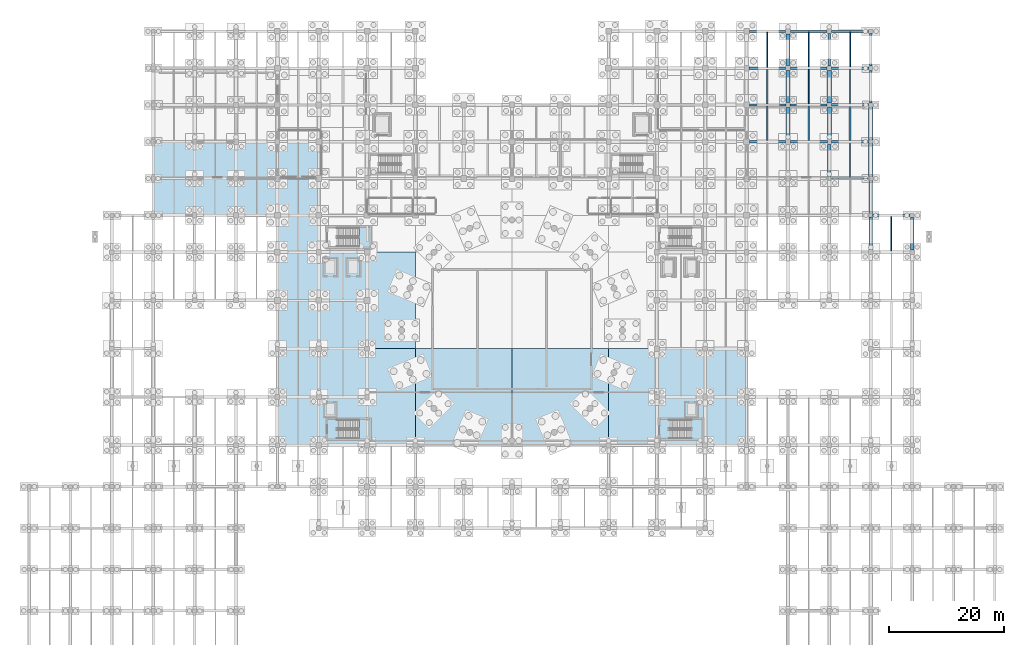
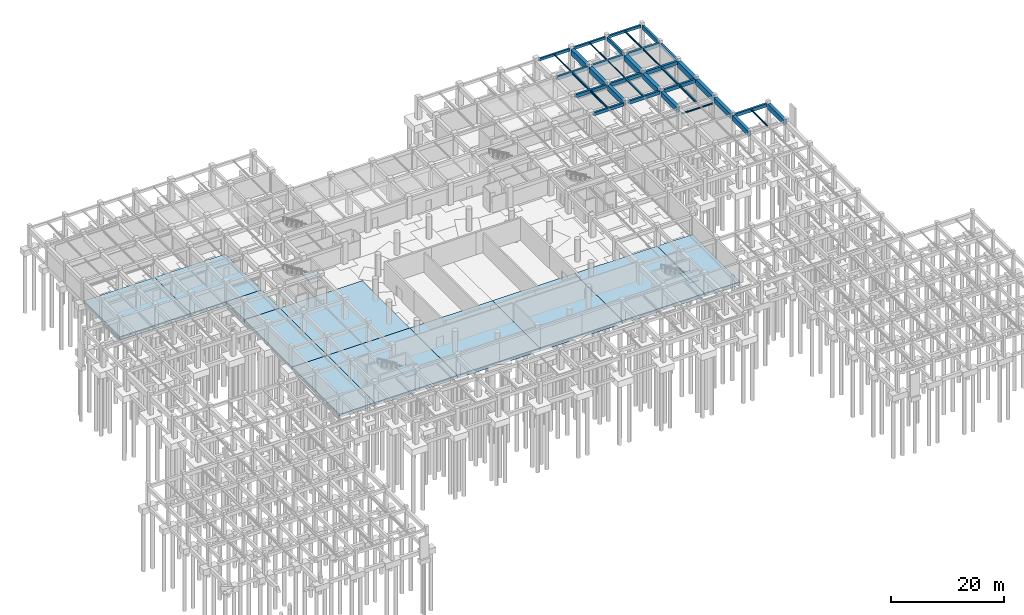
# One storey, part 29 of 44: 38 beams, 14 slabs, 1 member, 3 elements without a shape of their own.
"""IFC4 building model written with IfcOpenShell, lengths in metres."""

from ifc_helpers import new_model, si_unit, direction, frame, origin, origin_2d, place, context, subcontext, project, spatial, polyline, rectangle, i_section, outline, extrude, material, layer, layer_set, material_profile, profile_set, type_object, element, aggregate, save


model = new_model("IFC4")

# Units and contexts
model_context = context("Model", 3, precision=1e-05, world=origin(), true_north=direction((0.0, 1.0)))
body_context = subcontext(model_context, "Body", "Model", "MODEL_VIEW")
ifc_project = project(units=[si_unit("LENGTHUNIT", "METRE"), si_unit("AREAUNIT", "SQUARE_METRE"), si_unit("VOLUMEUNIT", "CUBIC_METRE"), si_unit("PLANEANGLEUNIT", "RADIAN"), si_unit("MASSUNIT", "GRAM", prefix="KILO")], contexts=[model_context])

# Site, building, storey
site_placement = place(None, origin())
site = spatial("IfcSite", under=ifc_project, at=site_placement, CompositionType="ELEMENT")
building_placement = place(site_placement, origin())
building = spatial("IfcBuilding", under=site, at=building_placement, Name="Korsvaeld Concert Hall", CompositionType="ELEMENT")
storey_placement = place(building_placement, frame((0.0, 0.0, -4.800048828125)))
storey = spatial("IfcBuildingStorey", under=building, at=storey_placement, Name="B1", CompositionType="ELEMENT", Elevation=-4.800048828125)

# Beams
ifc_material_1 = material(Name="Concrete C35/45", Category="concrete")
ifc_material_profile_1 = material_profile(ifc_material_1, rectangle(XDim=0.39990234375, YDim=0.64990234375, at=origin_2d()), Name="RC 400x650")
ifc_profile_set_1 = profile_set([ifc_material_profile_1], Name="Concrete C35/45")
beam_type_1 = type_object("IfcBeamType", Name="BM-RC-400x650", PredefinedType="T_BEAM", material=ifc_profile_set_1)
beam_1_placement = place(storey_placement, frame((125.300048828125, 96.0, 3.925048828125), z_axis=(1.0, 0.0, 0.0), x_axis=(0.0, 1.0, 0.0)))
element("IfcBeam", 1, at=beam_1_placement, inside=storey, type_object=beam_type_1, Name="Primary girder 17-18/P B1", PredefinedType="T_BEAM", context=body_context, shape_type="SweptSolid", body=[
    extrude(rectangle(XDim=0.39990234375, YDim=0.64990234375, at=origin_2d()), origin(), (0.0, 0.0, 1.0), 6.25),
])
ifc_material_profile_2 = material_profile(ifc_material_1, rectangle(XDim=0.39990234375, YDim=0.699951171875, at=origin_2d()), Name="RC 400x700")
ifc_profile_set_2 = profile_set([ifc_material_profile_2], Name="Concrete C35/45")
beam_type_2 = type_object("IfcBeamType", Name="BM-RC-400x700", PredefinedType="T_BEAM", material=ifc_profile_set_2)
beam_2_placement = place(storey_placement, frame((146.72509765625, 83.199951171875, 3.900146484375), z_axis=(1.0, 0.0, 0.0), x_axis=(0.0, 1.0, 0.0)))
element("IfcBeam", 2, at=beam_2_placement, inside=storey, type_object=beam_type_2, Name="Primary girder 20-21/M B1", PredefinedType="T_BEAM", context=body_context, shape_type="SweptSolid", body=[
    extrude(rectangle(XDim=0.39990234375, YDim=0.699951171875, at=origin_2d()), origin(), (0.0, 0.0, 1.0), 6.52490234375),
])
beam_3_placement = place(storey_placement, frame((132.449951171875, 96.0, 3.900146484375), z_axis=(1.0, 0.0, 0.0), x_axis=(0.0, 1.0, 0.0)))
element("IfcBeam", 3, at=beam_3_placement, inside=storey, type_object=beam_type_2, Name="Primary girder 18-19/P B1", PredefinedType="T_BEAM", context=body_context, shape_type="SweptSolid", body=[
    extrude(rectangle(XDim=0.39990234375, YDim=0.699951171875, at=origin_2d()), origin(), (0.0, 0.0, 1.0), 6.400146484375),
])
beam_4_placement = place(storey_placement, frame((125.27490234375, 102.39990234375, 3.900146484375), z_axis=(1.0, 0.0, 0.0), x_axis=(0.0, 1.0, 0.0)))
element("IfcBeam", 4, at=beam_4_placement, inside=storey, type_object=beam_type_2, Name="Primary girder 17-18/Q B1", PredefinedType="T_BEAM", context=body_context, shape_type="SweptSolid", body=[
    extrude(rectangle(XDim=0.39990234375, YDim=0.699951171875, at=origin_2d()), origin(), (0.0, 0.0, 1.0), 6.375),
])
beam_5_placement = place(storey_placement, frame((139.199951171875, 109.199951171875, 3.900146484375), z_axis=(0.0, 1.0, 0.0), x_axis=(-1.0, 0.0, 0.0)))
element("IfcBeam", 5, at=beam_5_placement, inside=storey, type_object=beam_type_2, Name="Primary girder 19/R-S B1", PredefinedType="T_BEAM", context=body_context, shape_type="SweptSolid", body=[
    extrude(rectangle(XDim=0.39990234375, YDim=0.699951171875, at=origin_2d()), origin(), (0.0, 0.0, 1.0), 5.625),
])
beam_6_placement = place(storey_placement, frame((146.39990234375, 102.75, 3.900146484375), z_axis=(0.0, 1.0, 0.0), x_axis=(-1.0, 0.0, 0.0)))
element("IfcBeam", 6, at=beam_6_placement, inside=storey, type_object=beam_type_2, Name="Primary girder 20/Q-R B1", PredefinedType="T_BEAM", context=body_context, shape_type="SweptSolid", body=[
    extrude(rectangle(XDim=0.39990234375, YDim=0.699951171875, at=origin_2d()), origin(), (0.0, 0.0, 1.0), 5.64990234375),
])
ifc_material_profile_3 = material_profile(ifc_material_1, rectangle(XDim=0.39990234375, YDim=0.75, at=origin_2d()), Name="RC 400x750")
ifc_profile_set_3 = profile_set([ifc_material_profile_3], Name="Concrete C35/45")
beam_type_3 = type_object("IfcBeamType", Name="BM-RC-400x750", PredefinedType="T_BEAM", material=ifc_profile_set_3)
beam_7_placement = place(storey_placement, frame((139.550048828125, 96.0, 3.875), z_axis=(1.0, 0.0, 0.0), x_axis=(0.0, 1.0, 0.0)))
element("IfcBeam", 7, at=beam_7_placement, inside=storey, type_object=beam_type_3, Name="Primary girder 19-20/P B1", PredefinedType="T_BEAM", context=body_context, shape_type="SweptSolid", body=[
    extrude(rectangle(XDim=0.39990234375, YDim=0.75, at=origin_2d()), origin(), (0.0, 0.0, 1.0), 6.52490234375),
])
beam_8_placement = place(storey_placement, frame((132.35009765625, 102.39990234375, 3.875), z_axis=(1.0, 0.0, 0.0), x_axis=(0.0, 1.0, 0.0)))
element("IfcBeam", 8, at=beam_8_placement, inside=storey, type_object=beam_type_3, Name="Primary girder 18-19/Q B1", PredefinedType="T_BEAM", context=body_context, shape_type="SweptSolid", body=[
    extrude(rectangle(XDim=0.39990234375, YDim=0.75, at=origin_2d()), origin(), (0.0, 0.0, 1.0), 6.474853515625),
])
beam_9_placement = place(storey_placement, frame((125.199951171875, 108.800048828125, 3.875), z_axis=(1.0, 0.0, 0.0), x_axis=(0.0, 1.0, 0.0)))
element("IfcBeam", 9, at=beam_9_placement, inside=storey, type_object=beam_type_3, Name="Primary girder 17-18/R B1", PredefinedType="T_BEAM", context=body_context, shape_type="SweptSolid", body=[
    extrude(rectangle(XDim=0.39990234375, YDim=0.75, at=origin_2d()), origin(), (0.0, 0.0, 1.0), 6.35009765625),
])
ifc_material_profile_4 = material_profile(ifc_material_1, rectangle(XDim=0.449951171875, YDim=0.75, at=origin_2d()), Name="RC 450x750")
ifc_profile_set_4 = profile_set([ifc_material_profile_4], Name="Concrete C35/45")
beam_type_4 = type_object("IfcBeamType", Name="BM-RC-450x750", PredefinedType="T_BEAM", material=ifc_profile_set_4)
beam_10_placement = place(storey_placement, frame((139.574951171875, 102.39990234375, 3.875), z_axis=(1.0, 0.0, 0.0), x_axis=(0.0, 1.0, 0.0)))
element("IfcBeam", 10, at=beam_10_placement, inside=storey, type_object=beam_type_4, Name="Primary girder 19-20/Q B1", PredefinedType="T_BEAM", context=body_context, shape_type="SweptSolid", body=[
    extrude(rectangle(XDim=0.449951171875, YDim=0.75, at=origin_2d()), origin(), (0.0, 0.0, 1.0), 6.47509765625),
])
beam_11_placement = place(storey_placement, frame((132.449951171875, 108.800048828125, 3.875), z_axis=(1.0, 0.0, 0.0), x_axis=(0.0, 1.0, 0.0)))
element("IfcBeam", 11, at=beam_11_placement, inside=storey, type_object=beam_type_4, Name="Primary girder 18-19/R B1", PredefinedType="T_BEAM", context=body_context, shape_type="SweptSolid", body=[
    extrude(rectangle(XDim=0.449951171875, YDim=0.75, at=origin_2d()), origin(), (0.0, 0.0, 1.0), 6.35009765625),
])
ifc_material_profile_5 = material_profile(ifc_material_1, rectangle(XDim=0.449951171875, YDim=0.800048828125, at=origin_2d()), Name="RC 450x800")
ifc_profile_set_5 = profile_set([ifc_material_profile_5], Name="Concrete C35/45")
beam_type_5 = type_object("IfcBeamType", Name="BM-RC-450x800", PredefinedType="T_BEAM", material=ifc_profile_set_5)
beam_12_placement = place(storey_placement, frame((139.60009765625, 108.800048828125, 3.85009765625), z_axis=(1.0, 0.0, 0.0), x_axis=(0.0, 1.0, 0.0)))
element("IfcBeam", 12, at=beam_12_placement, inside=storey, type_object=beam_type_5, Name="Primary girder 19-20/R B1", PredefinedType="T_BEAM", context=body_context, shape_type="SweptSolid", body=[
    extrude(rectangle(XDim=0.449951171875, YDim=0.800048828125, at=origin_2d()), origin(), (0.0, 0.0, 1.0), 6.5),
])
beam_13_placement = place(storey_placement, frame((146.39990234375, 109.199951171875, 3.85009765625), z_axis=(0.0, 1.0, 0.0), x_axis=(-1.0, 0.0, 0.0)))
element("IfcBeam", 13, at=beam_13_placement, inside=storey, type_object=beam_type_5, Name="Primary girder 20/R-S B1", PredefinedType="T_BEAM", context=body_context, shape_type="SweptSolid", body=[
    extrude(rectangle(XDim=0.449951171875, YDim=0.800048828125, at=origin_2d()), origin(), (0.0, 0.0, 1.0), 5.650146484375),
])
ifc_material_2 = material(Name="Concrete C40/50", Category="concrete")
ifc_material_profile_6 = material_profile(ifc_material_2, rectangle(XDim=0.60009765625, YDim=1.050048828125, at=origin_2d()), Name="RC 600x1050")
ifc_profile_set_6 = profile_set([ifc_material_profile_6], Name="Concrete C40/50")
beam_type_6 = type_object("IfcBeamType", Name="BM-RC-600x1050", PredefinedType="T_BEAM", material=ifc_profile_set_6)
beam_14_placement = place(storey_placement, frame((146.39990234375, 77.25, 3.72509765625), z_axis=(0.0, 1.0, 0.0), x_axis=(-1.0, 0.0, 0.0)))
element("IfcBeam", 14, at=beam_14_placement, inside=storey, type_object=beam_type_6, Name="Primary girder 20/L-M B1", PredefinedType="T_BEAM", context=body_context, shape_type="SweptSolid", body=[
    extrude(rectangle(XDim=0.60009765625, YDim=1.050048828125, at=origin_2d()), origin(), (0.0, 0.0, 1.0), 5.625),
])
ifc_material_profile_7 = material_profile(ifc_material_2, rectangle(XDim=0.64990234375, YDim=1.10009765625, at=origin_2d()), Name="RC 650x1100")
ifc_profile_set_7 = profile_set([ifc_material_profile_7], Name="Concrete C40/50")
beam_type_7 = type_object("IfcBeamType", Name="BM-RC-650x1100", PredefinedType="T_BEAM", material=ifc_profile_set_7)
beam_15_placement = place(storey_placement, frame((132.0, 96.449951171875, 3.699951171875), z_axis=(0.0, 1.0, 0.0), x_axis=(-1.0, 0.0, 0.0)))
element("IfcBeam", 15, at=beam_15_placement, inside=storey, type_object=beam_type_7, Name="Primary girder 18/P-Q B1", PredefinedType="T_BEAM", context=body_context, shape_type="SweptSolid", body=[
    extrude(rectangle(XDim=0.64990234375, YDim=1.10009765625, at=origin_2d()), origin(), (0.0, 0.0, 1.0), 5.5),
])
beam_16_placement = place(storey_placement, frame((139.199951171875, 89.97509765625, 3.699951171875), z_axis=(0.0, 1.0, 0.0), x_axis=(-1.0, 0.0, 0.0)))
element("IfcBeam", 16, at=beam_16_placement, inside=storey, type_object=beam_type_7, Name="Primary girder 19/N-P B1", PredefinedType="T_BEAM", context=body_context, shape_type="SweptSolid", body=[
    extrude(rectangle(XDim=0.64990234375, YDim=1.10009765625, at=origin_2d()), origin(), (0.0, 0.0, 1.0), 5.574951171875),
])
beam_17_placement = place(storey_placement, frame((146.39990234375, 83.52490234375, 3.699951171875), z_axis=(0.0, 1.0, 0.0), x_axis=(-1.0, 0.0, 0.0)))
element("IfcBeam", 17, at=beam_17_placement, inside=storey, type_object=beam_type_7, Name="Primary girder 20/M-N B1", PredefinedType="T_BEAM", context=body_context, shape_type="SweptSolid", body=[
    extrude(rectangle(XDim=0.64990234375, YDim=1.10009765625, at=origin_2d()), origin(), (0.0, 0.0, 1.0), 5.72509765625),
])
beam_18_placement = place(storey_placement, frame((153.60009765625, 77.175048828125, 3.699951171875), z_axis=(0.0, 1.0, 0.0), x_axis=(-1.0, 0.0, 0.0)))
element("IfcBeam", 18, at=beam_18_placement, inside=storey, type_object=beam_type_7, Name="Primary girder 21/L-M B1", PredefinedType="T_BEAM", context=body_context, shape_type="SweptSolid", body=[
    extrude(rectangle(XDim=0.64990234375, YDim=1.10009765625, at=origin_2d()), origin(), (0.0, 0.0, 1.0), 5.675048828125),
])
ifc_material_profile_8 = material_profile(ifc_material_2, rectangle(XDim=0.699951171875, YDim=1.14990234375, at=origin_2d()), Name="RC 700x1150")
ifc_profile_set_8 = profile_set([ifc_material_profile_8], Name="Concrete C40/50")
beam_type_8 = type_object("IfcBeamType", Name="BM-RC-700x1150", PredefinedType="T_BEAM", material=ifc_profile_set_8)
beam_19_placement = place(storey_placement, frame((132.0, 102.85009765625, 3.675048828125), z_axis=(0.0, 1.0, 0.0), x_axis=(-1.0, 0.0, 0.0)))
element("IfcBeam", 19, at=beam_19_placement, inside=storey, type_object=beam_type_8, Name="Primary girder 18/Q-R B1", PredefinedType="T_BEAM", context=body_context, shape_type="SweptSolid", body=[
    extrude(rectangle(XDim=0.699951171875, YDim=1.14990234375, at=origin_2d()), origin(), (0.0, 0.0, 1.0), 5.5),
])
beam_20_placement = place(storey_placement, frame((139.199951171875, 96.449951171875, 3.675048828125), z_axis=(0.0, 1.0, 0.0), x_axis=(-1.0, 0.0, 0.0)))
element("IfcBeam", 20, at=beam_20_placement, inside=storey, type_object=beam_type_8, Name="Primary girder 19/P-Q B1", PredefinedType="T_BEAM", context=body_context, shape_type="SweptSolid", body=[
    extrude(rectangle(XDim=0.699951171875, YDim=1.14990234375, at=origin_2d()), origin(), (0.0, 0.0, 1.0), 5.574951171875),
])
beam_21_placement = place(storey_placement, frame((146.39990234375, 89.949951171875, 3.675048828125), z_axis=(0.0, 1.0, 0.0), x_axis=(-1.0, 0.0, 0.0)))
element("IfcBeam", 21, at=beam_21_placement, inside=storey, type_object=beam_type_8, Name="Primary girder 20/N-P B1", PredefinedType="T_BEAM", context=body_context, shape_type="SweptSolid", body=[
    extrude(rectangle(XDim=0.699951171875, YDim=1.14990234375, at=origin_2d()), origin(), (0.0, 0.0, 1.0), 5.72509765625),
])
ifc_material_profile_9 = material_profile(ifc_material_2, rectangle(XDim=0.75, YDim=1.199951171875, at=origin_2d()), Name="RC 750x1200")
ifc_profile_set_9 = profile_set([ifc_material_profile_9], Name="Concrete C40/50")
beam_type_9 = type_object("IfcBeamType", Name="BM-RC-750x1200", PredefinedType="T_BEAM", material=ifc_profile_set_9)
beam_22_placement = place(storey_placement, frame((132.0, 109.25, 3.650146484375), z_axis=(0.0, 1.0, 0.0), x_axis=(-1.0, 0.0, 0.0)))
element("IfcBeam", 22, at=beam_22_placement, inside=storey, type_object=beam_type_9, Name="Primary girder 18/R-S B1", PredefinedType="T_BEAM", context=body_context, shape_type="SweptSolid", body=[
    extrude(rectangle(XDim=0.75, YDim=1.199951171875, at=origin_2d()), origin(), (0.0, 0.0, 1.0), 5.52490234375),
])
beam_23_placement = place(storey_placement, frame((139.199951171875, 102.77490234375, 3.650146484375), z_axis=(0.0, 1.0, 0.0), x_axis=(-1.0, 0.0, 0.0)))
element("IfcBeam", 23, at=beam_23_placement, inside=storey, type_object=beam_type_9, Name="Primary girder 19/Q-R B1", PredefinedType="T_BEAM", context=body_context, shape_type="SweptSolid", body=[
    extrude(rectangle(XDim=0.75, YDim=1.199951171875, at=origin_2d()), origin(), (0.0, 0.0, 1.0), 5.625),
])
beam_24_placement = place(storey_placement, frame((146.39990234375, 96.324951171875, 3.650146484375), z_axis=(0.0, 1.0, 0.0), x_axis=(-1.0, 0.0, 0.0)))
element("IfcBeam", 24, at=beam_24_placement, inside=storey, type_object=beam_type_9, Name="Primary girder 20/P-Q B1", PredefinedType="T_BEAM", context=body_context, shape_type="SweptSolid", body=[
    extrude(rectangle(XDim=0.75, YDim=1.199951171875, at=origin_2d()), origin(), (0.0, 0.0, 1.0), 5.72509765625),
])
ifc_material_profile_10 = material_profile(ifc_material_1, rectangle(XDim=0.35009765625, YDim=0.550048828125, at=origin_2d()), Name="RC 350x550")
ifc_profile_set_10 = profile_set([ifc_material_profile_10], Name="Concrete C35/45")
beam_type_10 = type_object("IfcBeamType", Name="BM-SP-350x550", PredefinedType="SPANDREL", material=ifc_profile_set_10)
beam_25_placement = place(storey_placement, frame((125.27490234375, 115.199951171875, 3.97509765625), z_axis=(1.0, 0.0, 0.0), x_axis=(0.0, 1.0, 0.0)))
element("IfcBeam", 25, at=beam_25_placement, inside=storey, type_object=beam_type_10, Name="Primary girder 17-18/S B1", PredefinedType="SPANDREL", context=body_context, shape_type="SweptSolid", body=[
    extrude(rectangle(XDim=0.35009765625, YDim=0.550048828125, at=origin_2d()), origin(), (0.0, 0.0, 1.0), 6.300048828125),
])
beam_26_placement = place(storey_placement, frame((132.425048828125, 115.199951171875, 3.97509765625), z_axis=(1.0, 0.0, 0.0), x_axis=(0.0, 1.0, 0.0)))
element("IfcBeam", 26, at=beam_26_placement, inside=storey, type_object=beam_type_10, Name="Primary girder 18-19/S B1", PredefinedType="SPANDREL", context=body_context, shape_type="SweptSolid", body=[
    extrude(rectangle(XDim=0.35009765625, YDim=0.550048828125, at=origin_2d()), origin(), (0.0, 0.0, 1.0), 6.39990234375),
])
beam_27_placement = place(storey_placement, frame((139.574951171875, 115.199951171875, 3.97509765625), z_axis=(1.0, 0.0, 0.0), x_axis=(0.0, 1.0, 0.0)))
element("IfcBeam", 27, at=beam_27_placement, inside=storey, type_object=beam_type_10, Name="Primary girder 19-20/S B1", PredefinedType="SPANDREL", context=body_context, shape_type="SweptSolid", body=[
    extrude(rectangle(XDim=0.35009765625, YDim=0.550048828125, at=origin_2d()), origin(), (0.0, 0.0, 1.0), 6.47509765625),
])
ifc_material_3 = material(Name="Steel S355J2", Category="steel")
ifc_material_profile_11 = material_profile(ifc_material_3, i_section(OverallWidth=0.280029296875, OverallDepth=0.27001953125, WebThickness=0.008056640625, FlangeThickness=0.012939453125, FilletRadius=0.02392578125, at=origin_2d()), Name="HEA 280")
ifc_profile_set_11 = profile_set([ifc_material_profile_11], Name="Steel S355J2")
beam_type_11 = type_object("IfcBeamType", Name="BM-STL-HEA280", PredefinedType="BEAM", material=ifc_profile_set_11)
beam_28_placement = place(storey_placement, frame((135.60009765625, 96.199951171875, 4.114990234375), z_axis=(0.0, 1.0, 0.0), x_axis=(-1.0, 0.0, 0.0)))
element("IfcBeam", 28, at=beam_28_placement, inside=storey, type_object=beam_type_11, Name="Secondary steel floor beam 18-19/P B1", PredefinedType="BEAM", context=body_context, shape_type="SweptSolid", body=[
    extrude(i_section(OverallWidth=0.280029296875, OverallDepth=0.27001953125, WebThickness=0.008056640625, FlangeThickness=0.012939453125, FilletRadius=0.02392578125, at=origin_2d()), origin(), (0.0, 0.0, 1.0), 6.0),
])
ifc_material_profile_12 = material_profile(ifc_material_3, i_section(OverallWidth=0.300048828125, OverallDepth=0.35009765625, WebThickness=0.010009765625, FlangeThickness=0.017578125, FilletRadius=0.027099609375, at=origin_2d()), Name="HEA 360")
ifc_profile_set_12 = profile_set([ifc_material_profile_12], Name="Steel S355J2")
beam_type_12 = type_object("IfcBeamType", Name="BM-STL-HEA360", PredefinedType="BEAM", material=ifc_profile_set_12)
beam_29_placement = place(storey_placement, frame((128.39990234375, 102.60009765625, 4.074951171875), z_axis=(0.0, 1.0, 0.0), x_axis=(-1.0, 0.0, 0.0)))
element("IfcBeam", 29, at=beam_29_placement, inside=storey, type_object=beam_type_12, Name="Secondary steel floor beam 17-18/Q B1", PredefinedType="BEAM", context=body_context, shape_type="SweptSolid", body=[
    extrude(i_section(OverallWidth=0.300048828125, OverallDepth=0.35009765625, WebThickness=0.010009765625, FlangeThickness=0.017578125, FilletRadius=0.027099609375, at=origin_2d()), origin(), (0.0, 0.0, 1.0), 6.0),
])
beam_30_placement = place(storey_placement, frame((142.800048828125, 96.199951171875, 4.074951171875), z_axis=(0.0, 1.0, 0.0), x_axis=(-1.0, 0.0, 0.0)))
element("IfcBeam", 30, at=beam_30_placement, inside=storey, type_object=beam_type_12, Name="Secondary steel floor beam 19-20/P B1", PredefinedType="BEAM", context=body_context, shape_type="SweptSolid", body=[
    extrude(i_section(OverallWidth=0.300048828125, OverallDepth=0.35009765625, WebThickness=0.010009765625, FlangeThickness=0.017578125, FilletRadius=0.027099609375, at=origin_2d()), origin(), (0.0, 0.0, 1.0), 5.97509765625),
])
ifc_material_profile_13 = material_profile(ifc_material_3, i_section(OverallWidth=0.1201171875, OverallDepth=0.239990234375, WebThickness=0.006103515625, FlangeThickness=0.009765625, FilletRadius=0.014892578125, at=origin_2d()), Name="IPE 240")
ifc_profile_set_13 = profile_set([ifc_material_profile_13], Name="Steel S355J2")
beam_type_13 = type_object("IfcBeamType", Name="BM-STL-IPE240", PredefinedType="JOIST", material=ifc_profile_set_13)
beam_31_placement = place(storey_placement, frame((135.60009765625, 102.60009765625, 4.130126953125), z_axis=(0.0, 1.0, 0.0), x_axis=(-1.0, 0.0, 0.0)))
element("IfcBeam", 31, at=beam_31_placement, inside=storey, type_object=beam_type_13, Name="Secondary steel floor beam 18-19/Q B1", PredefinedType="JOIST", context=body_context, shape_type="SweptSolid", body=[
    extrude(i_section(OverallWidth=0.1201171875, OverallDepth=0.239990234375, WebThickness=0.006103515625, FlangeThickness=0.009765625, FilletRadius=0.014892578125, at=origin_2d()), origin(), (0.0, 0.0, 1.0), 5.974853515625),
])
ifc_material_profile_14 = material_profile(ifc_material_3, i_section(OverallWidth=0.135009765625, OverallDepth=0.27001953125, WebThickness=0.006591796875, FlangeThickness=0.01025390625, FilletRadius=0.014892578125, at=origin_2d()), Name="IPE 270")
ifc_profile_set_14 = profile_set([ifc_material_profile_14], Name="Steel S355J2")
beam_type_14 = type_object("IfcBeamType", Name="BM-STL-IPE270", PredefinedType="JOIST", material=ifc_profile_set_14)
beam_32_placement = place(storey_placement, frame((128.39990234375, 109.0, 4.114990234375), z_axis=(0.0, 1.0, 0.0), x_axis=(-1.0, 0.0, 0.0)))
element("IfcBeam", 32, at=beam_32_placement, inside=storey, type_object=beam_type_14, Name="Secondary steel floor beam 17-18/R B1", PredefinedType="JOIST", context=body_context, shape_type="SweptSolid", body=[
    extrude(i_section(OverallWidth=0.135009765625, OverallDepth=0.27001953125, WebThickness=0.006591796875, FlangeThickness=0.01025390625, FilletRadius=0.014892578125, at=origin_2d()), origin(), (0.0, 0.0, 1.0), 6.02490234375),
])
beam_33_placement = place(storey_placement, frame((142.800048828125, 102.625, 4.114990234375), z_axis=(0.0, 1.0, 0.0), x_axis=(-1.0, 0.0, 0.0)))
element("IfcBeam", 33, at=beam_33_placement, inside=storey, type_object=beam_type_14, Name="Secondary steel floor beam 19-20/Q B1", PredefinedType="JOIST", context=body_context, shape_type="SweptSolid", body=[
    extrude(i_section(OverallWidth=0.135009765625, OverallDepth=0.27001953125, WebThickness=0.006591796875, FlangeThickness=0.01025390625, FilletRadius=0.014892578125, at=origin_2d()), origin(), (0.0, 0.0, 1.0), 5.949951171875),
])
ifc_material_profile_15 = material_profile(ifc_material_3, i_section(OverallWidth=0.14990234375, OverallDepth=0.300048828125, WebThickness=0.007080078125, FlangeThickness=0.0107421875, FilletRadius=0.014892578125, at=origin_2d()), Name="IPE 300")
ifc_profile_set_15 = profile_set([ifc_material_profile_15], Name="Steel S355J2")
beam_type_15 = type_object("IfcBeamType", Name="BM-STL-IPE300", PredefinedType="JOIST", material=ifc_profile_set_15)
beam_34_placement = place(storey_placement, frame((135.60009765625, 109.02490234375, 4.10009765625), z_axis=(0.0, 1.0, 0.0), x_axis=(-1.0, 0.0, 0.0)))
element("IfcBeam", 34, at=beam_34_placement, inside=storey, type_object=beam_type_15, Name="Secondary steel floor beam 18-19/R B1", PredefinedType="JOIST", context=body_context, shape_type="SweptSolid", body=[
    extrude(i_section(OverallWidth=0.14990234375, OverallDepth=0.300048828125, WebThickness=0.007080078125, FlangeThickness=0.0107421875, FilletRadius=0.014892578125, at=origin_2d()), origin(), (0.0, 0.0, 1.0), 6.0),
])
ifc_material_profile_16 = material_profile(ifc_material_3, i_section(OverallWidth=0.159912109375, OverallDepth=0.330078125, WebThickness=0.007568359375, FlangeThickness=0.011474609375, FilletRadius=0.01806640625, at=origin_2d()), Name="IPE 330")
ifc_profile_set_16 = profile_set([ifc_material_profile_16], Name="Steel S355J2")
beam_type_16 = type_object("IfcBeamType", Name="BM-STL-IPE330", PredefinedType="BEAM", material=ifc_profile_set_16)
for number, where, z_axis, x_axis, name in (
    (35, (142.800048828125, 109.02490234375, 4.0849609375), (0.0, 1.0, 0.0), (-1.0, 0.0, 0.0), "Secondary steel floor beam 19-20/R B1"),
    (36, (150.0, 77.0, 4.0849609375), (0.0, 1.0, 0.0), (-1.0, 0.0, 0.0), "Secondary steel floor beam 20-21/L B1"),
):
    element("IfcBeam", number, at=place(storey_placement, frame(where, z_axis=z_axis, x_axis=x_axis)), inside=storey, type_object=beam_type_16, Name=name, PredefinedType="BEAM", context=body_context, shape_type="SweptSolid", body=[
        extrude(i_section(OverallWidth=0.159912109375, OverallDepth=0.330078125, WebThickness=0.007568359375, FlangeThickness=0.011474609375, FilletRadius=0.01806640625, at=origin_2d()), origin(), (0.0, 0.0, 1.0), 6.0),
    ])
ifc_material_profile_17 = material_profile(ifc_material_3, i_section(OverallWidth=0.18994140625, OverallDepth=0.449951171875, WebThickness=0.009521484375, FlangeThickness=0.0146484375, FilletRadius=0.02099609375, at=origin_2d()), Name="IPE 450")
ifc_profile_set_17 = profile_set([ifc_material_profile_17], Name="Steel S355J2")
beam_type_17 = type_object("IfcBeamType", Name="BM-STL-IPE450", PredefinedType="BEAM", material=ifc_profile_set_17)
for number, where, z_axis, x_axis, name in (
    (37, (128.39990234375, 96.199951171875, 4.025146484375), (0.0, 1.0, 0.0), (-1.0, 0.0, 0.0), "Secondary steel floor beam 17-18/P B1"),
    (38, (142.800048828125, 89.800048828125, 4.025146484375), (0.0, 1.0, 0.0), (-1.0, 0.0, 0.0), "Secondary steel floor beam 19-20/N B1"),
):
    element("IfcBeam", number, at=place(storey_placement, frame(where, z_axis=z_axis, x_axis=x_axis)), inside=storey, type_object=beam_type_17, Name=name, PredefinedType="BEAM", context=body_context, shape_type="SweptSolid", body=[
        extrude(i_section(OverallWidth=0.18994140625, OverallDepth=0.449951171875, WebThickness=0.009521484375, FlangeThickness=0.0146484375, FilletRadius=0.02099609375, at=origin_2d()), origin(), (0.0, 0.0, 1.0), 6.0),
    ])

# Member
ifc_material_profile_18 = material_profile(ifc_material_3, i_section(OverallWidth=0.239990234375, OverallDepth=0.239990234375, WebThickness=0.010009765625, FlangeThickness=0.01708984375, FilletRadius=0.02099609375, at=origin_2d()), Name="HEB 240")
ifc_profile_set_18 = profile_set([ifc_material_profile_18], Name="Steel S355J2")
member_type = type_object("IfcMemberType", Name="MEM-STR-HEB240", PredefinedType="STRUT", material=ifc_profile_set_18)
member_placement = place(storey_placement, frame((139.574951171875, 89.60009765625, 2.85009765625), z_axis=(1.0, 0.0, 0.0), x_axis=(0.0, 1.0, 0.0)))
element("IfcMember", 39, at=member_placement, inside=storey, type_object=member_type, Name="Basement lateral frame strut 16", PredefinedType="STRUT", context=body_context, shape_type="SweptSolid", body=[
    extrude(i_section(OverallWidth=0.239990234375, OverallDepth=0.239990234375, WebThickness=0.010009765625, FlangeThickness=0.01708984375, FilletRadius=0.02099609375, at=origin_2d()), origin(), (0.0, 0.0, 1.0), 6.47509765625),
])

# Slabs
ifc_layer_1 = layer(ifc_material_1, 0.699951171875)
ifc_layer_set_1 = layer_set([ifc_layer_1], Name="Concrete C35/45")
slab_type_1 = type_object("IfcSlabType", Name="SLB-BASE-700", PredefinedType="BASESLAB", material=ifc_layer_set_1)
slab_1_placement = place(storey_placement, frame((0.0, 0.0, -0.699951171875)))
element("IfcSlab", 40, at=slab_1_placement, inside=storey, type_object=slab_type_1, Name="Structural slab B1 V1_B1 1.1", PredefinedType="BASESLAB", context=body_context, shape_type="SweptSolid", body=[
    extrude(outline(polyline([(50.39990234375, 43.199951171875), (50.39990234375, 60.0), (43.199951171875, 60.0), (43.199951171875, 43.199951171875), (50.39990234375, 43.199951171875)])), origin(), (0.0, 0.0, 1.0), 0.699951171875),
])
slab_2_placement = place(storey_placement, frame((0.0, 0.0, -0.699951171875)))
element("IfcSlab", 41, at=slab_2_placement, inside=storey, type_object=slab_type_1, Name="Structural slab B1 V1_B1 1.2", PredefinedType="BASESLAB", context=body_context, shape_type="SweptSolid", body=[
    extrude(outline(polyline([(50.39990234375, 60.0), (50.39990234375, 76.800048828125), (43.199951171875, 76.800048828125), (43.199951171875, 60.0), (50.39990234375, 60.0)])), origin(), (0.0, 0.0, 1.0), 0.699951171875),
])
slab_3_placement = place(storey_placement, frame((0.0, 0.0, -0.699951171875)))
element("IfcSlab", 42, at=slab_3_placement, inside=storey, type_object=slab_type_1, Name="Structural slab B1 V1_B1 1.3", PredefinedType="BASESLAB", context=body_context, shape_type="SweptSolid", body=[
    extrude(outline(polyline([(50.39990234375, 76.800048828125), (50.39990234375, 83.199951171875), (43.199951171875, 83.199951171875), (43.199951171875, 76.800048828125), (50.39990234375, 76.800048828125)])), origin(), (0.0, 0.0, 1.0), 0.699951171875),
])
slab_4_placement = place(storey_placement, frame((0.0, 0.0, -0.699951171875)))
element("IfcSlab", 43, at=slab_4_placement, inside=storey, type_object=slab_type_1, Name="Structural slab B1 V1_B1 2.1", PredefinedType="BASESLAB", context=body_context, shape_type="SweptSolid", body=[
    extrude(outline(polyline([(67.199951171875, 43.199951171875), (67.199951171875, 60.0), (50.39990234375, 60.0), (50.39990234375, 43.199951171875), (67.199951171875, 43.199951171875)])), origin(), (0.0, 0.0, 1.0), 0.699951171875),
])
slab_5_placement = place(storey_placement, frame((0.0, 0.0, -0.699951171875)))
element("IfcSlab", 44, at=slab_5_placement, inside=storey, type_object=slab_type_1, Name="Structural slab B1 V1_B1 2.2", PredefinedType="BASESLAB", context=body_context, shape_type="SweptSolid", body=[
    extrude(outline(polyline([(67.199951171875, 60.0), (67.199951171875, 76.800048828125), (50.39990234375, 76.800048828125), (50.39990234375, 60.0), (67.199951171875, 60.0)])), origin(), (0.0, 0.0, 1.0), 0.699951171875),
])
slab_6_placement = place(storey_placement, frame((0.0, 0.0, -0.699951171875)))
element("IfcSlab", 45, at=slab_6_placement, inside=storey, type_object=slab_type_1, Name="Structural slab B1 V1_B1 3.1", PredefinedType="BASESLAB", context=body_context, shape_type="SweptSolid", body=[
    extrude(outline(polyline([(84.0, 43.199951171875), (84.0, 60.0), (67.199951171875, 60.0), (67.199951171875, 43.199951171875), (84.0, 43.199951171875)])), origin(), (0.0, 0.0, 1.0), 0.699951171875),
])
slab_7_placement = place(storey_placement, frame((0.0, 0.0, -0.699951171875)))
element("IfcSlab", 46, at=slab_7_placement, inside=storey, type_object=slab_type_1, Name="Structural slab B1 V1_B1 4.1", PredefinedType="BASESLAB", context=body_context, shape_type="SweptSolid", body=[
    extrude(outline(polyline([(100.800048828125, 43.199951171875), (100.800048828125, 60.0), (84.0, 60.0), (84.0, 43.199951171875), (100.800048828125, 43.199951171875)])), origin(), (0.0, 0.0, 1.0), 0.699951171875),
])
slab_8_placement = place(storey_placement, frame((0.0, 0.0, -0.699951171875)))
element("IfcSlab", 47, at=slab_8_placement, inside=storey, type_object=slab_type_1, Name="Structural slab B1 V1_B1 5.1", PredefinedType="BASESLAB", context=body_context, shape_type="SweptSolid", body=[
    extrude(outline(polyline([(117.60009765625, 43.199951171875), (117.60009765625, 60.0), (100.800048828125, 60.0), (100.800048828125, 43.199951171875), (117.60009765625, 43.199951171875)])), origin(), (0.0, 0.0, 1.0), 0.699951171875),
])
slab_9_placement = place(storey_placement, frame((0.0, 0.0, -0.699951171875)))
element("IfcSlab", 48, at=slab_9_placement, inside=storey, type_object=slab_type_1, Name="Structural slab B1 V1_B1 6.1", PredefinedType="BASESLAB", context=body_context, shape_type="SweptSolid", body=[
    extrude(outline(polyline([(124.800048828125, 43.199951171875), (124.800048828125, 60.0), (117.60009765625, 60.0), (117.60009765625, 43.199951171875), (124.800048828125, 43.199951171875)])), origin(), (0.0, 0.0, 1.0), 0.699951171875),
])
slab_10_placement = place(storey_placement, frame((0.0, 0.0, -0.699951171875)))
element("IfcSlab", 49, at=slab_10_placement, inside=storey, type_object=slab_type_1, Name="Structural slab B1 V5_B1_W 1.1", PredefinedType="BASESLAB", context=body_context, shape_type="SweptSolid", body=[
    extrude(outline(polyline([(36.0, 83.199951171875), (36.0, 96.0), (21.60009765625, 96.0), (21.60009765625, 83.199951171875), (36.0, 83.199951171875)])), origin(), (0.0, 0.0, 1.0), 0.699951171875),
])
slab_11_placement = place(storey_placement, frame((0.0, 0.0, -0.699951171875)))
element("IfcSlab", 50, at=slab_11_placement, inside=storey, type_object=slab_type_1, Name="Structural slab B1 V5_B1_W 2.1", PredefinedType="BASESLAB", context=body_context, shape_type="SweptSolid", body=[
    extrude(outline(polyline([(50.39990234375, 83.199951171875), (50.39990234375, 96.0), (36.0, 96.0), (36.0, 83.199951171875), (50.39990234375, 83.199951171875)])), origin(), (0.0, 0.0, 1.0), 0.699951171875),
])

# Stair, slab
ifc_material_4 = material(Name="Precast concrete C40/50", Category="concrete")
stair_type = type_object("IfcStairType", Name="STR-HT-155-48", PredefinedType="HALF_TURN_STAIR", material=ifc_material_4)
stair_1_placement = place(storey_placement, origin())
stair_1 = element("IfcStair", 51, at=stair_1_placement, inside=storey, type_object=stair_type, Name="B1 ST-K1", PredefinedType="HALF_TURN_STAIR")
ifc_layer_2 = layer(ifc_material_4, 0.179931640625)
ifc_layer_set_2 = layer_set([ifc_layer_2], Name="Precast concrete C40/50")
slab_type_2 = type_object("IfcSlabType", Name="SLB-LANDING-180", PredefinedType="LANDING", material=ifc_layer_set_2)
slab_12_placement = place(storey_placement, frame((0.0, 0.0, 2.219970703125)))
slab_12 = element("IfcSlab", 52, at=slab_12_placement, type_object=slab_type_2, Name="ST-K1 landing 1", PredefinedType="LANDING", context=body_context, shape_type="SweptSolid", body=[
    extrude(outline(polyline([(57.360107421875, 77.7099609375), (57.360107421875, 81.1298828125), (59.2900390625, 81.1298828125), (59.2900390625, 77.7099609375), (57.360107421875, 77.7099609375)])), origin(), (0.0, 0.0, 1.0), 0.18017578125),
])
aggregate(stair_1, [slab_12])

stair_2_placement = place(storey_placement, origin())
stair_2 = element("IfcStair", 53, at=stair_2_placement, inside=storey, type_object=stair_type, Name="B1 ST-K3", PredefinedType="HALF_TURN_STAIR")
slab_13_placement = place(storey_placement, frame((0.0, 0.0, 2.219970703125)))
slab_13 = element("IfcSlab", 54, at=slab_13_placement, type_object=slab_type_2, Name="ST-K3 landing 1", PredefinedType="LANDING", context=body_context, shape_type="SweptSolid", body=[
    extrude(outline(polyline([(57.360107421875, 44.31005859375), (57.360107421875, 47.72998046875), (59.2900390625, 47.72998046875), (59.2900390625, 44.31005859375), (57.360107421875, 44.31005859375)])), origin(), (0.0, 0.0, 1.0), 0.18017578125),
])
aggregate(stair_2, [slab_13])

stair_3_placement = place(storey_placement, origin())
stair_3 = element("IfcStair", 55, at=stair_3_placement, inside=storey, type_object=stair_type, Name="B1 ST-K4", PredefinedType="HALF_TURN_STAIR")
slab_14_placement = place(storey_placement, frame((0.0, 0.0, 2.219970703125)))
slab_14 = element("IfcSlab", 56, at=slab_14_placement, type_object=slab_type_2, Name="ST-K4 landing 1", PredefinedType="LANDING", context=body_context, shape_type="SweptSolid", body=[
    extrude(outline(polyline([(115.159912109375, 44.31005859375), (115.159912109375, 47.72998046875), (117.090087890625, 47.72998046875), (117.090087890625, 44.31005859375), (115.159912109375, 44.31005859375)])), origin(), (0.0, 0.0, 1.0), 0.18017578125),
])
aggregate(stair_3, [slab_14])

save(model, "model.ifc")
